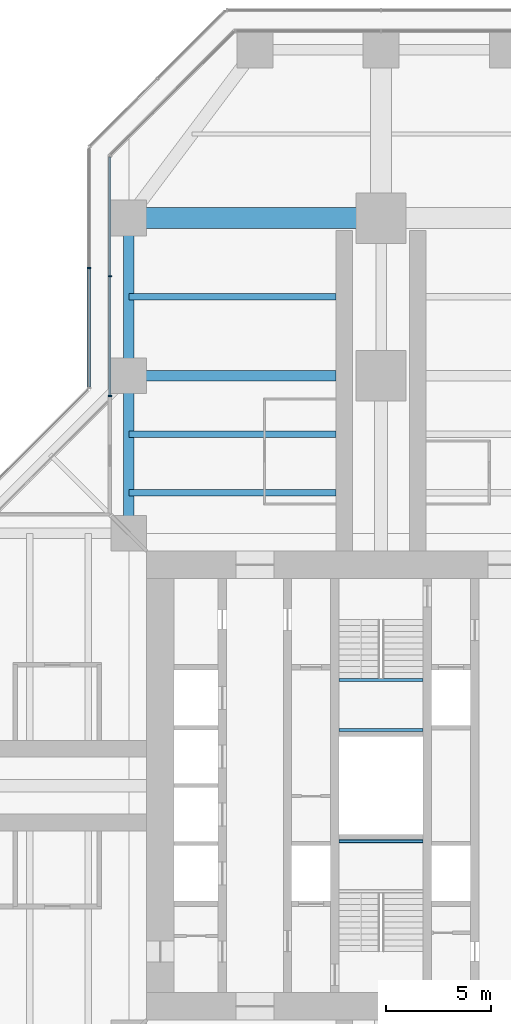
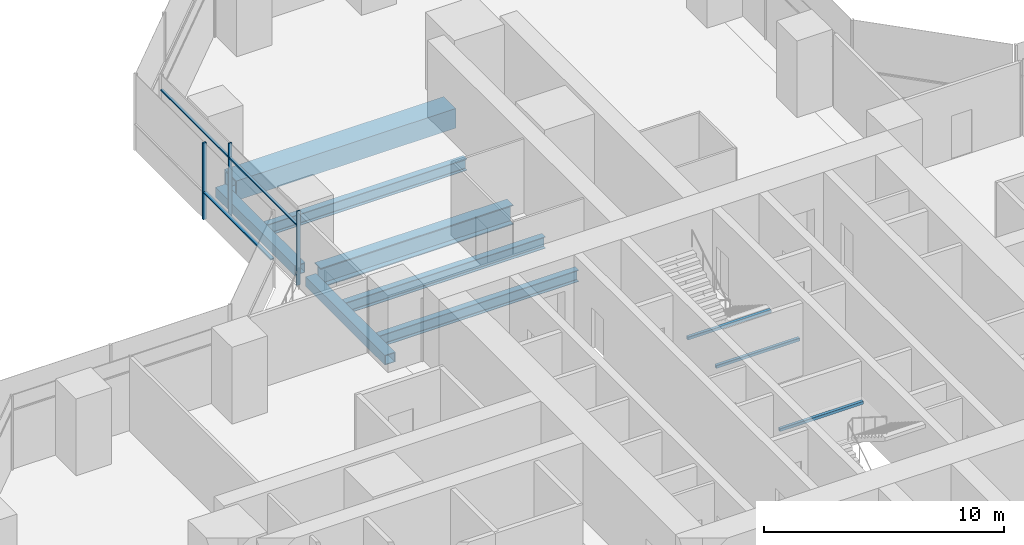
# One storey, part 9 of 22: 10 beams, 6 members, 2 elements without a shape of their own.
"""IFC4 building model written with IfcOpenShell, lengths in metres."""

from ifc_helpers import new_model, si_unit, direction, frame, origin, origin_2d, place, context, subcontext, project, spatial, rectangle, hollow_rectangle, i_section, extrude, material, material_profile, profile_set, type_object, element, aggregate, save


model = new_model("IFC4")

# Units and contexts
model_context = context("Model", 3, precision=1e-05, world=origin(), true_north=direction((0.0, 1.0)))
body_context = subcontext(model_context, "Body", "Model", "MODEL_VIEW")
ifc_project = project(units=[si_unit("LENGTHUNIT", "METRE"), si_unit("AREAUNIT", "SQUARE_METRE"), si_unit("VOLUMEUNIT", "CUBIC_METRE"), si_unit("PLANEANGLEUNIT", "RADIAN"), si_unit("MASSUNIT", "GRAM", prefix="KILO")], contexts=[model_context])

# Site, building, storey
site_placement = place(None, origin())
site = spatial("IfcSite", under=ifc_project, at=site_placement, CompositionType="ELEMENT")
building_placement = place(site_placement, origin())
building = spatial("IfcBuilding", under=site, at=building_placement, Name="Mizan Broadcast Tower", CompositionType="ELEMENT")
storey_placement = place(building_placement, frame((0.0, 0.0, 63.0)))
storey = spatial("IfcBuildingStorey", under=building, at=storey_placement, Name="L12", CompositionType="ELEMENT", Elevation=63.0)

# Beams
ifc_material_1 = material(Name="Steel S355", Category="steel")
ifc_material_profile_1 = material_profile(ifc_material_1, hollow_rectangle(XDim=0.5, YDim=0.5, WallThickness=0.030029296875, at=origin_2d()), Name="BOX 500x500x30")
ifc_profile_set_1 = profile_set([ifc_material_profile_1], Name="Steel S355")
beam_type_1 = type_object("IfcBeamType", Name="EDGE BEAM BOX 500x500x30", PredefinedType="SPANDREL", material=ifc_profile_set_1)
for number, where, z_axis, x_axis, name in (
    (1, (-12.0, 12.449951171875, -0.3798828125), (0.0, 1.0, 0.0), (-1.0, 0.0, 0.0), "Edge beam BOX 500x500x30 L12 north arm"),
    (2, (-12.0, 19.949951171875, -0.3798828125), (0.0, 1.0, 0.0), (-1.0, 0.0, 0.0), "Edge beam BOX 500x500x30 L12 north arm"),
):
    element("IfcBeam", number, at=place(storey_placement, frame(where, z_axis=z_axis, x_axis=x_axis)), inside=storey, type_object=beam_type_1, Name=name, PredefinedType="SPANDREL", context=body_context, shape_type="SweptSolid", body=[
        extrude(hollow_rectangle(XDim=0.5, YDim=0.5, WallThickness=0.030029296875, at=origin_2d()), origin(), (0.0, 0.0, 1.0), 6.60009765625),
    ])
ifc_material_2 = material(Name="Steel S460", Category="steel")
ifc_material_profile_2 = material_profile(ifc_material_2, hollow_rectangle(XDim=1.0, YDim=1.0, WallThickness=0.080078125, at=origin_2d()), Name="BOX 1000x1000x80")
ifc_profile_set_2 = profile_set([ifc_material_profile_2], Name="Steel S460")
beam_type_2 = type_object("IfcBeamType", Name="GIRDER BOX 1000x1000x80", PredefinedType="BEAM", material=ifc_profile_set_2)
beam_1_placement = place(storey_placement, frame((-11.280029296875, 27.0, -0.6298828125), z_axis=(1.0, 0.0, 0.0), x_axis=(0.0, 1.0, 0.0)))
element("IfcBeam", 3, at=beam_1_placement, inside=storey, type_object=beam_type_2, Name="Girder BOX 1000x1000x80 L12 north arm", PredefinedType="BEAM", context=body_context, shape_type="SweptSolid", body=[
    extrude(hollow_rectangle(XDim=1.0, YDim=1.0, WallThickness=0.080078125, at=origin_2d()), origin(), (0.0, 0.0, 1.0), 10.56005859375),
])
ifc_material_3 = material(Name="Steel S460", Category="steel")
ifc_material_profile_3 = material_profile(ifc_material_3, i_section(OverallWidth=0.5, OverallDepth=1.0, WebThickness=0.02490234375, FlangeThickness=0.050048828125, at=origin_2d()), Name="WPG 1000x500")
ifc_profile_set_3 = profile_set([ifc_material_profile_3], Name="Steel S460")
beam_type_3 = type_object("IfcBeamType", Name="GIRDER WPG 1000x500", PredefinedType="BEAM", material=ifc_profile_set_3)
beam_2_placement = place(storey_placement, frame((-11.408935546875, 19.5, -0.6298828125), z_axis=(1.0, 0.0, 0.0), x_axis=(0.0, 1.0, 0.0)))
element("IfcBeam", 4, at=beam_2_placement, inside=storey, type_object=beam_type_3, Name="Girder WPG 1000x500 L12 north arm", PredefinedType="BEAM", context=body_context, shape_type="SweptSolid", body=[
    extrude(i_section(OverallWidth=0.5, OverallDepth=1.0, WebThickness=0.02490234375, FlangeThickness=0.050048828125, at=origin_2d()), origin(), (0.0, 0.0, 1.0), 9.259033203125),
])

# Curtain wall, members
ifc_material_4 = material(Name="Aluminium framed glazing", Category="aluminium")
curtain_wall_type_1 = type_object("IfcCurtainWallType", Name="INNER SKIN LOW ZONE", PredefinedType="USERDEFINED", material=ifc_material_4)
curtain_wall_1_placement = place(storey_placement, origin())
curtain_wall_1 = element("IfcCurtainWall", 5, at=curtain_wall_1_placement, inside=storey, type_object=curtain_wall_type_1, Name="Inner skin low zone L12 N side", ObjectType="INNER SKIN LOW ZONE", PredefinedType="USERDEFINED")
ifc_material_5 = material(Name="Aluminium, pale anodised", Category="aluminium")
ifc_material_profile_4 = material_profile(ifc_material_5, rectangle(XDim=0.159912109375, YDim=0.06005859375, at=origin_2d()), Name="MULLION 160x60")
ifc_profile_set_4 = profile_set([ifc_material_profile_4], Name="Aluminium, pale anodised")
member_type_1 = type_object("IfcMemberType", Name="INNER SKIN MULLION 60x160", PredefinedType="MULLION", material=ifc_profile_set_4)
member_1_placement = place(storey_placement, frame((-12.89990234375, 24.229248046875, 0.0), z_axis=(0.0, 0.0, 1.0), x_axis=(1.0, 0.0, 0.0)))
member_1 = element("IfcMember", 6, at=member_1_placement, type_object=member_type_1, Name="Inner skin low zone L12 N side mullion 2", PredefinedType="MULLION", context=body_context, shape_type="SweptSolid", body=[
    extrude(rectangle(XDim=0.159912109375, YDim=0.06005859375, at=origin_2d()), origin(), (0.0, 0.0, 1.0), 3.77001953125),
])
member_2_placement = place(storey_placement, frame((-12.89990234375, 18.530029296875, 0.0), z_axis=(0.0, 0.0, 1.0), x_axis=(1.0, 0.0, 0.0)))
member_2 = element("IfcMember", 7, at=member_2_placement, type_object=member_type_1, Name="Inner skin low zone L12 N side mullion 3", PredefinedType="MULLION", context=body_context, shape_type="SweptSolid", body=[
    extrude(rectangle(XDim=0.159912109375, YDim=0.06005859375, at=origin_2d()), origin(), (0.0, 0.0, 1.0), 3.77001953125),
])
ifc_material_6 = material(Name="Aluminium, pale anodised", Category="aluminium")
ifc_material_profile_5 = material_profile(ifc_material_6, rectangle(XDim=0.1201171875, YDim=0.06005859375, at=origin_2d()), Name="TRANSOM 120x60")
ifc_profile_set_5 = profile_set([ifc_material_profile_5], Name="Aluminium, pale anodised")
member_type_2 = type_object("IfcMemberType", Name="INNER SKIN TRANSOM 60x120", PredefinedType="USERDEFINED", material=ifc_profile_set_5)
member_3_placement = place(storey_placement, frame((-12.89990234375, 29.898681640625, 3.030029296875), z_axis=(0.0, -1.0, 0.0), x_axis=(1.0, 0.0, 0.0)))
member_3 = element("IfcMember", 8, at=member_3_placement, type_object=member_type_2, Name="Inner skin low zone L12 N side transom 1.1", ObjectType="TRANSOM", PredefinedType="USERDEFINED", context=body_context, shape_type="SweptSolid", body=[
    extrude(rectangle(XDim=0.1201171875, YDim=0.06005859375, at=origin_2d()), origin(), (0.0, 0.0, 1.0), 5.639404296875),
])
member_4_placement = place(storey_placement, frame((-12.89990234375, 24.19921875, 3.030029296875), z_axis=(0.0, -1.0, 0.0), x_axis=(1.0, 0.0, 0.0)))
member_4 = element("IfcMember", 9, at=member_4_placement, type_object=member_type_2, Name="Inner skin low zone L12 N side transom 2.1", ObjectType="TRANSOM", PredefinedType="USERDEFINED", context=body_context, shape_type="SweptSolid", body=[
    extrude(rectangle(XDim=0.1201171875, YDim=0.06005859375, at=origin_2d()), origin(), (0.0, 0.0, 1.0), 5.63916015625),
])
aggregate(curtain_wall_1, [member_1, member_2, member_3, member_4])

# Beams
ifc_material_7 = material(Name="Steel S355", Category="steel")
ifc_material_profile_6 = material_profile(ifc_material_7, hollow_rectangle(XDim=0.14990234375, YDim=0.14990234375, WallThickness=0.008056640625, InnerFilletRadius=0.008056640625, OuterFilletRadius=0.011962890625, at=origin_2d()), Name="SHS 150x150x8")
ifc_profile_set_6 = profile_set([ifc_material_profile_6], Name="Steel S355")
beam_type_4 = type_object("IfcBeamType", Name="LANDING TRIMMER SHS 150x150x8", PredefinedType="BEAM", material=ifc_profile_set_6)
for number, where, z_axis, x_axis, name in (
    (10, (-2.0, -2.64990234375, 1.675048828125), (1.0, 0.0, 0.0), (0.0, 1.0, 0.0), "Stair A landing trimmer L12"),
    (11, (2.0, 5.02490234375, 1.675048828125), (-1.0, 0.0, 0.0), (0.0, -1.0, 0.0), "Stair B landing trimmer L12"),
    (12, (2.0, 2.64990234375, 1.675048828125), (-1.0, 0.0, 0.0), (0.0, -1.0, 0.0), "Stair B landing trimmer L12"),
):
    element("IfcBeam", number, at=place(storey_placement, frame(where, z_axis=z_axis, x_axis=x_axis)), inside=storey, type_object=beam_type_4, Name=name, PredefinedType="BEAM", context=body_context, shape_type="SweptSolid", body=[
        extrude(hollow_rectangle(XDim=0.14990234375, YDim=0.14990234375, WallThickness=0.008056640625, InnerFilletRadius=0.008056640625, OuterFilletRadius=0.011962890625, at=origin_2d()), origin(), (0.0, 0.0, 1.0), 4.0),
    ])

# Curtain wall, members
ifc_material_8 = material(Name="Aluminium framed glazing", Category="aluminium")
curtain_wall_type_2 = type_object("IfcCurtainWallType", Name="OUTER SKIN", PredefinedType="USERDEFINED", material=ifc_material_8)
curtain_wall_2_placement = place(storey_placement, origin())
curtain_wall_2 = element("IfcCurtainWall", 13, at=curtain_wall_2_placement, inside=storey, type_object=curtain_wall_type_2, Name="Outer skin L12 N side", ObjectType="OUTER SKIN", PredefinedType="USERDEFINED")
ifc_material_9 = material(Name="Aluminium, pale anodised", Category="aluminium")
ifc_material_profile_7 = material_profile(ifc_material_9, rectangle(XDim=0.159912109375, YDim=0.080078125, at=origin_2d()), Name="MULLION 160x80")
ifc_profile_set_7 = profile_set([ifc_material_profile_7], Name="Aluminium, pale anodised")
member_type_3 = type_object("IfcMemberType", Name="OUTER SKIN MULLION 80x160", PredefinedType="MULLION", material=ifc_profile_set_7)
member_5_placement = place(storey_placement, frame((-13.89990234375, 24.622802734375, 0.0), z_axis=(0.0, 0.0, 1.0), x_axis=(1.0, 0.0, 0.0)))
member_5 = element("IfcMember", 14, at=member_5_placement, type_object=member_type_3, Name="Outer skin L12 N side mullion 2", PredefinedType="MULLION", context=body_context, shape_type="SweptSolid", body=[
    extrude(rectangle(XDim=0.159912109375, YDim=0.080078125, at=origin_2d()), origin(), (0.0, 0.0, 1.0), 3.89990234375),
])
ifc_material_10 = material(Name="Aluminium, pale anodised", Category="aluminium")
ifc_material_profile_8 = material_profile(ifc_material_10, rectangle(XDim=0.159912109375, YDim=0.06005859375, at=origin_2d()), Name="TRANSOM 160x60")
ifc_profile_set_8 = profile_set([ifc_material_profile_8], Name="Aluminium, pale anodised")
member_type_4 = type_object("IfcMemberType", Name="OUTER SKIN TRANSOM 60x160", PredefinedType="USERDEFINED", material=ifc_profile_set_8)
member_6_placement = place(storey_placement, frame((-13.89990234375, 24.582763671875, 1.39990234375), z_axis=(0.0, -1.0, 0.0), x_axis=(1.0, 0.0, 0.0)))
member_6 = element("IfcMember", 15, at=member_6_placement, type_object=member_type_4, Name="Outer skin L12 N side transom 2.1", ObjectType="TRANSOM", PredefinedType="USERDEFINED", context=body_context, shape_type="SweptSolid", body=[
    extrude(rectangle(XDim=0.159912109375, YDim=0.06005859375, at=origin_2d()), origin(), (0.0, 0.0, 1.0), 5.6298828125),
])
aggregate(curtain_wall_2, [member_5, member_6])

# Beams
ifc_material_11 = material(Name="Steel S355", Category="steel")
ifc_material_profile_9 = material_profile(ifc_material_11, i_section(OverallWidth=0.300048828125, OverallDepth=0.590087890625, WebThickness=0.012939453125, FlangeThickness=0.02490234375, FilletRadius=0.027099609375, at=origin_2d()), Name="HEA 600")
ifc_profile_set_9 = profile_set([ifc_material_profile_9], Name="Steel S355")
beam_type_5 = type_object("IfcBeamType", Name="SECONDARY BEAM HEA 600", PredefinedType="JOIST", material=ifc_profile_set_9)
for number, where, z_axis, x_axis, name in (
    (16, (-12.0, 13.933349609375, -0.425048828125), (1.0, 0.0, 0.0), (0.0, 1.0, 0.0), "Secondary beam HEA 600 L12 north arm"),
    (17, (-12.0, 16.716552734375, -0.425048828125), (1.0, 0.0, 0.0), (0.0, 1.0, 0.0), "Secondary beam HEA 600 L12 north arm"),
    (18, (-12.0, 23.25, -0.425048828125), (1.0, 0.0, 0.0), (0.0, 1.0, 0.0), "Secondary beam HEA 600 L12 north arm"),
):
    element("IfcBeam", number, at=place(storey_placement, frame(where, z_axis=z_axis, x_axis=x_axis)), inside=storey, type_object=beam_type_5, Name=name, PredefinedType="JOIST", context=body_context, shape_type="SweptSolid", body=[
        extrude(i_section(OverallWidth=0.300048828125, OverallDepth=0.590087890625, WebThickness=0.012939453125, FlangeThickness=0.02490234375, FilletRadius=0.027099609375, at=origin_2d()), origin(), (0.0, 0.0, 1.0), 9.85009765625),
    ])

save(model, "model.ifc")
